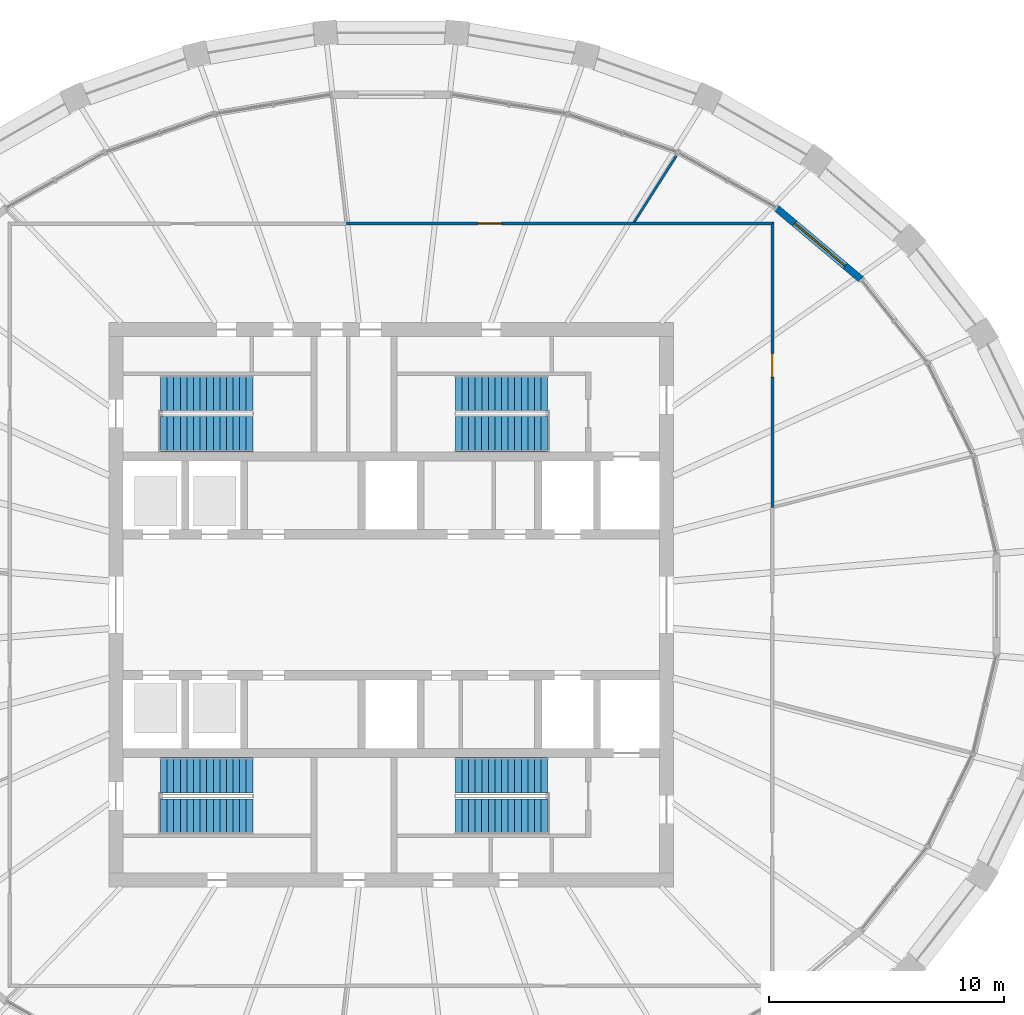
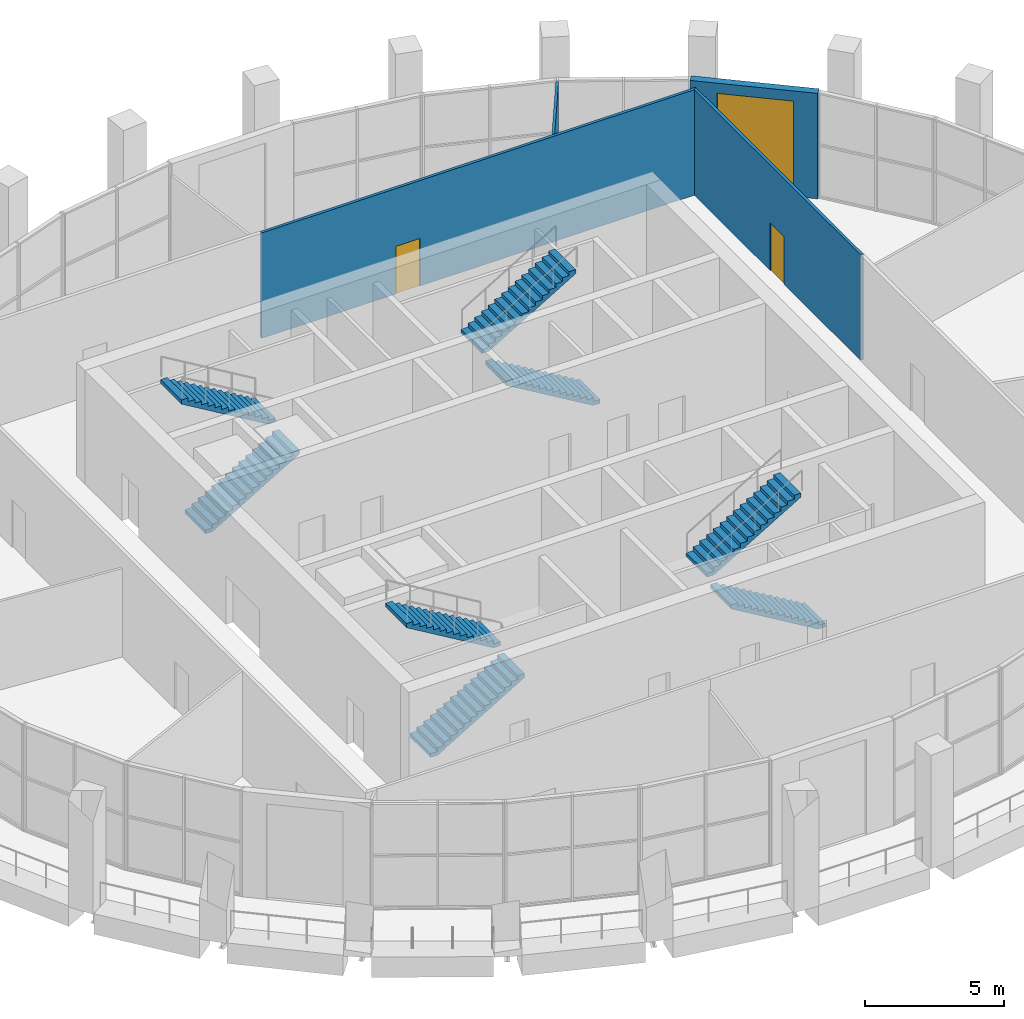
# One storey, part 13 of 16: 8 stair flights, 4 walls, 3 doors, 3 openings, 4 elements without a shape of their own.
"""IFC4 building model written with IfcOpenShell, lengths in metres."""

from ifc_helpers import new_model, si_unit, direction, frame, frame_2d, origin, place, context, subcontext, project, spatial, polyline, rectangle, outline, extrude, material, layer, layer_set, type_object, element, fill, aggregate, save


model = new_model("IFC4")

# Units and contexts
model_context = context("Model", 3, precision=1e-05, world=origin(), true_north=direction((0.0, 1.0)))
body_context = subcontext(model_context, "Body", "Model", "MODEL_VIEW")
ifc_project = project(units=[si_unit("LENGTHUNIT", "METRE"), si_unit("AREAUNIT", "SQUARE_METRE"), si_unit("VOLUMEUNIT", "CUBIC_METRE"), si_unit("PLANEANGLEUNIT", "RADIAN"), si_unit("MASSUNIT", "GRAM", prefix="KILO")], contexts=[model_context])

# Site, building, storey
site_placement = place(None, origin())
site = spatial("IfcSite", under=ifc_project, at=site_placement, CompositionType="ELEMENT")
building_placement = place(site_placement, origin())
building = spatial("IfcBuilding", under=site, at=building_placement, Name="Halqa Exchange Tower", CompositionType="ELEMENT")
storey_placement = place(building_placement, frame((0.0, 0.0, 333.300048828125)))
storey = spatial("IfcBuildingStorey", under=building, at=storey_placement, Name="L78", CompositionType="ELEMENT", Elevation=333.300048828125)

# Wall, opening, door
ifc_material_1 = material(Name="Fire-rated glazing", Category="glass")
ifc_layer_1 = layer(ifc_material_1, 0.1201171875)
ifc_layer_set_1 = layer_set([ifc_layer_1], Name="Fire-rated glazing")
wall_type_1 = type_object("IfcWallType", Name="Glazed fire partition EI 60 120", PredefinedType="PARTITIONING", material=ifc_layer_set_1)
wall_1_placement = place(storey_placement, frame((-1.89990234375, 16.199951171875, 0.0), z_axis=(0.0, 0.0, 1.0), x_axis=(1.0, 0.0, 0.0)))
wall_1 = element("IfcWall", 1, at=wall_1_placement, inside=storey, type_object=wall_type_1, Name="L78-PWL-012", PredefinedType="PARTITIONING", context=body_context, shape_type="SweptSolid", body=[
    extrude(outline(polyline([(0.0, -0.06005859375), (1.803955078125, -0.06005859375), (3.60791015625, -0.06005859375), (5.411865234375, -0.06005859375), (7.2158203125, -0.06005859375), (9.02001953125, -0.06005859375), (10.823974609375, -0.06005859375), (12.6279296875, -0.06005859375), (14.431884765625, -0.06005859375), (16.23583984375, -0.06005859375), (18.039794921875, -0.06005859375), (18.159912109375, 0.06005859375), (16.343994140625, 0.06005859375), (14.52783203125, 0.06005859375), (12.7119140625, 0.06005859375), (10.89599609375, 0.06005859375), (9.080078125, 0.06005859375), (7.263916015625, 0.06005859375), (5.447998046875, 0.06005859375), (3.632080078125, 0.06005859375), (1.81591796875, 0.06005859375), (0.0, 0.06005859375), (0.0, -0.06005859375)])), origin(), (0.0, 0.0, 1.0), 4.64990234375),
])
opening_1_placement = place(wall_1_placement, frame((5.594970703125, 0.0, 0.0)))
opening_1 = element("IfcOpeningElement", 2, at=opening_1_placement, cuts=wall_1, Name="Opening L78-09", PredefinedType="OPENING", context=body_context, shape_type="SweptSolid", body=[
    extrude(rectangle(XDim=1.0, YDim=2.10009765625, at=frame_2d((0.5, 1.050048828125))), frame((0.0, 0.072021484375, 0.0), z_axis=(0.0, -1.0, 0.0), x_axis=(1.0, 0.0, 0.0)), (0.0, 0.0, 1.0), 0.14404296875),
])
ifc_material_2 = material(Name="Steel fire door leaf", Category="steel")
door_type_1 = type_object("IfcDoorType", Name="Fire door FD30S 1000 x 2100", OperationType="SINGLE_SWING_LEFT", PredefinedType="DOOR", material=ifc_material_2)
door_1_placement = place(opening_1_placement, origin())
door_1 = element("IfcDoor", 3, at=door_1_placement, inside=storey, type_object=door_type_1, Name="L78-IDR-009", OperationType="SINGLE_SWING_RIGHT", OverallHeight=2.10009765625, OverallWidth=1.0, PredefinedType="DOOR", context=body_context, shape_type="SweptSolid", body=[
    extrude(rectangle(XDim=1.0, YDim=2.10009765625, at=frame_2d((0.5, 1.050048828125))), frame((0.0, 0.02490234375, 0.0), z_axis=(0.0, -1.0, 0.0), x_axis=(1.0, 0.0, 0.0)), (0.0, 0.0, 1.0), 0.050048828125),
])
fill(opening_1, door_1)

wall_2_placement = place(storey_placement, frame((16.199951171875, 16.260009765625, 0.0), z_axis=(0.0, 0.0, 1.0), x_axis=(0.0, -1.0, 0.0)))
wall_2 = element("IfcWall", 4, at=wall_2_placement, inside=storey, type_object=wall_type_1, Name="L78-PWL-018", PredefinedType="PARTITIONING", context=body_context, shape_type="SweptSolid", body=[
    extrude(outline(polyline([(12.1201171875, 0.06005859375), (10.388671875, 0.06005859375), (8.6572265625, 0.06005859375), (6.92578125, 0.06005859375), (5.1943359375, 0.06005859375), (3.462890625, 0.06005859375), (1.7314453125, 0.06005859375), (0.0, 0.06005859375), (0.1201171875, -0.06005859375), (1.83447265625, -0.06005859375), (3.548583984375, -0.06005859375), (5.262939453125, -0.06005859375), (6.977294921875, -0.06005859375), (8.691650390625, -0.06005859375), (10.40576171875, -0.06005859375), (12.1201171875, -0.06005859375), (12.1201171875, 0.06005859375)])), origin(), (0.0, 0.0, 1.0), 4.64990234375),
])
opening_2_placement = place(wall_2_placement, frame((5.590087890625, 0.0, 0.0)))
opening_2 = element("IfcOpeningElement", 5, at=opening_2_placement, cuts=wall_2, Name="Opening L78-08", PredefinedType="OPENING", context=body_context, shape_type="SweptSolid", body=[
    extrude(rectangle(XDim=1.0, YDim=2.10009765625, at=frame_2d((0.5, 1.050048828125))), frame((0.0, 0.072021484375, 0.0), z_axis=(0.0, -1.0, 0.0), x_axis=(1.0, 0.0, 0.0)), (0.0, 0.0, 1.0), 0.14404296875),
])
door_2_placement = place(opening_2_placement, origin())
door_2 = element("IfcDoor", 6, at=door_2_placement, inside=storey, type_object=door_type_1, Name="L78-IDR-008", OperationType="SINGLE_SWING_RIGHT", OverallHeight=2.10009765625, OverallWidth=1.0, PredefinedType="DOOR", context=body_context, shape_type="SweptSolid", body=[
    extrude(rectangle(XDim=1.0, YDim=2.10009765625, at=frame_2d((0.5, 1.050048828125))), frame((0.0, 0.02490234375, 0.0), z_axis=(0.0, -1.0, 0.0), x_axis=(1.0, 0.0, 0.0)), (0.0, 0.0, 1.0), 0.050048828125),
])
fill(opening_2, door_2)

# Wall
ifc_material_3 = material(Name="Gypsum board")
ifc_layer_2 = layer(ifc_material_3, 0.10009765625)
ifc_layer_set_2 = layer_set([ifc_layer_2], Name="Gypsum board")
wall_type_2 = type_object("IfcWallType", Name="Partition 100 gypsum", PredefinedType="PARTITIONING", material=ifc_layer_set_2)
wall_3_placement = place(storey_placement, frame((10.311279296875, 16.2333984375, 0.0), z_axis=(0.0, 0.0, 1.0), x_axis=(0.53653775198, 0.843876318367, 0.0)))
element("IfcWall", 7, at=wall_3_placement, inside=storey, type_object=wall_type_2, Name="L78-PWL-013", PredefinedType="PARTITIONING", context=body_context, shape_type="SweptSolid", body=[
    extrude(outline(polyline([(3.3681640625, -0.050048828125), (3.3681640625, -0.048583984375), (3.365478515625, 0.00244140625), (3.354248046875, 0.050048828125), (1.677001953125, 0.050048828125), (0.0, 0.050048828125), (0.0, 0.049560546875), (0.063232421875, -0.050048828125), (1.7158203125, -0.050048828125), (3.3681640625, -0.050048828125)])), origin(), (0.0, 0.0, 1.0), 4.64990234375),
])

# Wall, opening, door
ifc_material_4 = material(Name="Limestone cladding", Category="masonry")
ifc_layer_3 = layer(ifc_material_4, 0.0400390625)
ifc_material_5 = material(Name="Ventilated cavity")
ifc_layer_4 = layer(ifc_material_5, 0.030029296875, ventilated=True)
ifc_material_6 = material(Name="Mineral wool insulation")
ifc_layer_5 = layer(ifc_material_6, 0.10009765625)
ifc_material_7 = material(Name="Concrete C30/37", Category="concrete")
ifc_layer_6 = layer(ifc_material_7, 0.10009765625)
ifc_material_8 = material(Name="Internal plaster")
ifc_layer_7 = layer(ifc_material_8, 0.030029296875)
ifc_layer_set_3 = layer_set([ifc_layer_3, ifc_layer_4, ifc_layer_5, ifc_layer_6, ifc_layer_7], Name="Stone-faced insulated wall 300")
wall_type_3 = type_object("IfcWallType", Name="Stone-faced insulated wall 300", PredefinedType="STANDARD", material=ifc_layer_set_3)
wall_4_placement = place(storey_placement, frame((19.974609375, 13.826171875, 0.0), z_axis=(0.0, 0.0, 1.0), x_axis=(-0.765128700347, 0.643877373344, 0.0)))
wall_4 = element("IfcWall", 8, at=wall_4_placement, inside=storey, type_object=wall_type_3, Name="Glass-line wall 4", PredefinedType="STANDARD", context=body_context, shape_type="SweptSolid", body=[
    extrude(outline(polyline([(0.0, -0.14990234375), (4.685546875, -0.14990234375), (4.685546875, 0.14990234375), (0.0, 0.14990234375), (0.0, -0.14990234375)])), origin(), (0.0, 0.0, 1.0), 4.64990234375),
])
opening_3_placement = place(wall_4_placement, frame((0.892578125, 0.0, 0.0)))
opening_3 = element("IfcOpeningElement", 9, at=opening_3_placement, cuts=wall_4, Name="Opening LGS-F4-01", PredefinedType="OPENING", context=body_context, shape_type="SweptSolid", body=[
    extrude(rectangle(XDim=2.800048828125, YDim=4.199951171875, at=frame_2d((1.39990234375, 2.10009765625))), frame((0.0, 0.162109375, 0.0), z_axis=(0.0, -1.0, 0.0), x_axis=(1.0, 0.0, 0.0)), (0.0, 0.0, 1.0), 0.323974609375),
])
ifc_material_9 = material(Name="Clear low-emissivity glass in aluminium frame", Category="aluminium")
door_type_2 = type_object("IfcDoorType", Name="Glazed sliding balcony door 2800 x 4200", OperationType="DOUBLE_DOOR_SLIDING", PredefinedType="DOOR", material=ifc_material_9)
door_3_placement = place(opening_3_placement, origin())
door_3 = element("IfcDoor", 10, at=door_3_placement, inside=storey, type_object=door_type_2, Name="Loggia door 1", OperationType="DOUBLE_DOOR_SLIDING", OverallHeight=4.199951171875, OverallWidth=2.800048828125, PredefinedType="DOOR", context=body_context, shape_type="SweptSolid", body=[
    extrude(rectangle(XDim=2.800048828125, YDim=4.199951171875, at=frame_2d((1.39990234375, 2.10009765625))), frame((0.0, 0.02490234375, 0.0), z_axis=(0.0, -1.0, 0.0), x_axis=(1.0, 0.0, 0.0)), (0.0, 0.0, 1.0), 0.050048828125),
])
fill(opening_3, door_3)

# Stair, stair flights
stair_type = type_object("IfcStairType", Name="Exit stair 1500 wide", PredefinedType="HALF_TURN_STAIR", material=ifc_material_7)
stair_1_placement = place(storey_placement, origin())
stair_1 = element("IfcStair", 11, at=stair_1_placement, inside=storey, type_object=stair_type, Name="Exit stair ST1", PredefinedType="HALF_TURN_STAIR")
stair_flight_type = type_object("IfcStairFlightType", Name="Stair flight 1500 wide", PredefinedType="STRAIGHT", material=ifc_material_7)
stair_flight_1_placement = place(storey_placement, frame((-9.800048828125, 7.25, 0.0), z_axis=(0.0, 0.0, 1.0), x_axis=(1.0, 0.0, 0.0)))
stair_flight_1 = element("IfcStairFlight", 12, at=stair_flight_1_placement, type_object=stair_flight_type, Name="ST1 flight 1", NumberOfRisers=15, NumberOfTreads=14, PredefinedType="STRAIGHT", RiserHeight=0.166666667, TreadLength=0.28, context=body_context, shape_type="SweptSolid", body=[
    extrude(outline(polyline([(0.0, 0.0), (0.0, 0.166748046875), (0.280029296875, 0.166748046875), (0.280029296875, 0.333251953125), (0.56005859375, 0.333251953125), (0.56005859375, 0.5), (0.840087890625, 0.5), (0.840087890625, 0.666748046875), (1.1201171875, 0.666748046875), (1.1201171875, 0.833251953125), (1.39990234375, 0.833251953125), (1.39990234375, 1.0), (1.679931640625, 1.0), (1.679931640625, 1.166748046875), (1.9599609375, 1.166748046875), (1.9599609375, 1.333251953125), (2.239990234375, 1.333251953125), (2.239990234375, 1.5), (2.52001953125, 1.5), (2.52001953125, 1.666748046875), (2.800048828125, 1.666748046875), (2.800048828125, 1.833251953125), (3.080078125, 1.833251953125), (3.080078125, 2.0), (3.360107421875, 2.0), (3.360107421875, 2.166748046875), (3.639892578125, 2.166748046875), (3.639892578125, 2.333251953125), (3.919921875, 2.333251953125), (3.919921875, 2.5), (3.919921875, 2.158935546875), (0.29296875, 0.0), (0.0, 0.0)])), frame((0.0, 0.75, 0.0), z_axis=(0.0, -1.0, 0.0), x_axis=(1.0, 0.0, 0.0)), (0.0, 0.0, 1.0), 1.5),
])
stair_flight_2_placement = place(storey_placement, frame((-5.8798828125, 9.0, 2.5), z_axis=(0.0, 0.0, 1.0), x_axis=(-1.0, 0.0, 0.0)))
stair_flight_2 = element("IfcStairFlight", 13, at=stair_flight_2_placement, type_object=stair_flight_type, Name="ST1 flight 2", NumberOfRisers=15, NumberOfTreads=14, PredefinedType="STRAIGHT", RiserHeight=0.166666667, TreadLength=0.28, context=body_context, shape_type="SweptSolid", body=[
    extrude(outline(polyline([(0.0, 0.0), (0.0, 0.166748046875), (0.280029296875, 0.166748046875), (0.280029296875, 0.333251953125), (0.56005859375, 0.333251953125), (0.56005859375, 0.5), (0.840087890625, 0.5), (0.840087890625, 0.666748046875), (1.1201171875, 0.666748046875), (1.1201171875, 0.833251953125), (1.39990234375, 0.833251953125), (1.39990234375, 1.0), (1.679931640625, 1.0), (1.679931640625, 1.166748046875), (1.9599609375, 1.166748046875), (1.9599609375, 1.333251953125), (2.239990234375, 1.333251953125), (2.239990234375, 1.5), (2.52001953125, 1.5), (2.52001953125, 1.666748046875), (2.800048828125, 1.666748046875), (2.800048828125, 1.833251953125), (3.080078125, 1.833251953125), (3.080078125, 2.0), (3.360107421875, 2.0), (3.360107421875, 2.166748046875), (3.639892578125, 2.166748046875), (3.639892578125, 2.333251953125), (3.919921875, 2.333251953125), (3.919921875, 2.5), (3.919921875, 2.158935546875), (0.29296875, 0.0), (0.0, 0.0)])), frame((0.0, 0.75, 0.0), z_axis=(0.0, -1.0, 0.0), x_axis=(1.0, 0.0, 0.0)), (0.0, 0.0, 1.0), 1.5),
])
aggregate(stair_1, [stair_flight_1, stair_flight_2])

stair_2_placement = place(storey_placement, origin())
stair_2 = element("IfcStair", 14, at=stair_2_placement, inside=storey, type_object=stair_type, Name="Exit stair ST2", PredefinedType="HALF_TURN_STAIR")
stair_flight_3_placement = place(storey_placement, frame((6.64990234375, 7.25, 0.0), z_axis=(0.0, 0.0, 1.0), x_axis=(-1.0, 0.0, 0.0)))
stair_flight_3 = element("IfcStairFlight", 15, at=stair_flight_3_placement, type_object=stair_flight_type, Name="ST2 flight 1", NumberOfRisers=15, NumberOfTreads=14, PredefinedType="STRAIGHT", RiserHeight=0.166666667, TreadLength=0.28, context=body_context, shape_type="SweptSolid", body=[
    extrude(outline(polyline([(0.0, 0.0), (0.0, 0.166748046875), (0.280029296875, 0.166748046875), (0.280029296875, 0.333251953125), (0.56005859375, 0.333251953125), (0.56005859375, 0.5), (0.840087890625, 0.5), (0.840087890625, 0.666748046875), (1.1201171875, 0.666748046875), (1.1201171875, 0.833251953125), (1.39990234375, 0.833251953125), (1.39990234375, 1.0), (1.679931640625, 1.0), (1.679931640625, 1.166748046875), (1.9599609375, 1.166748046875), (1.9599609375, 1.333251953125), (2.239990234375, 1.333251953125), (2.239990234375, 1.5), (2.52001953125, 1.5), (2.52001953125, 1.666748046875), (2.800048828125, 1.666748046875), (2.800048828125, 1.833251953125), (3.080078125, 1.833251953125), (3.080078125, 2.0), (3.360107421875, 2.0), (3.360107421875, 2.166748046875), (3.639892578125, 2.166748046875), (3.639892578125, 2.333251953125), (3.919921875, 2.333251953125), (3.919921875, 2.5), (3.919921875, 2.158935546875), (0.29296875, 0.0), (0.0, 0.0)])), frame((0.0, 0.75, 0.0), z_axis=(0.0, -1.0, 0.0), x_axis=(1.0, 0.0, 0.0)), (0.0, 0.0, 1.0), 1.5),
])
stair_flight_4_placement = place(storey_placement, frame((2.72998046875, 9.0, 2.5), z_axis=(0.0, 0.0, 1.0), x_axis=(1.0, 0.0, 0.0)))
stair_flight_4 = element("IfcStairFlight", 16, at=stair_flight_4_placement, type_object=stair_flight_type, Name="ST2 flight 2", NumberOfRisers=15, NumberOfTreads=14, PredefinedType="STRAIGHT", RiserHeight=0.166666667, TreadLength=0.28, context=body_context, shape_type="SweptSolid", body=[
    extrude(outline(polyline([(0.0, 0.0), (0.0, 0.166748046875), (0.280029296875, 0.166748046875), (0.280029296875, 0.333251953125), (0.56005859375, 0.333251953125), (0.56005859375, 0.5), (0.840087890625, 0.5), (0.840087890625, 0.666748046875), (1.1201171875, 0.666748046875), (1.1201171875, 0.833251953125), (1.39990234375, 0.833251953125), (1.39990234375, 1.0), (1.679931640625, 1.0), (1.679931640625, 1.166748046875), (1.9599609375, 1.166748046875), (1.9599609375, 1.333251953125), (2.239990234375, 1.333251953125), (2.239990234375, 1.5), (2.52001953125, 1.5), (2.52001953125, 1.666748046875), (2.800048828125, 1.666748046875), (2.800048828125, 1.833251953125), (3.080078125, 1.833251953125), (3.080078125, 2.0), (3.360107421875, 2.0), (3.360107421875, 2.166748046875), (3.639892578125, 2.166748046875), (3.639892578125, 2.333251953125), (3.919921875, 2.333251953125), (3.919921875, 2.5), (3.919921875, 2.158935546875), (0.29296875, 0.0), (0.0, 0.0)])), frame((0.0, 0.75, 0.0), z_axis=(0.0, -1.0, 0.0), x_axis=(1.0, 0.0, 0.0)), (0.0, 0.0, 1.0), 1.5),
])
aggregate(stair_2, [stair_flight_3, stair_flight_4])

stair_3_placement = place(storey_placement, origin())
stair_3 = element("IfcStair", 17, at=stair_3_placement, inside=storey, type_object=stair_type, Name="Exit stair ST3", PredefinedType="HALF_TURN_STAIR")
stair_flight_5_placement = place(storey_placement, frame((-9.800048828125, -9.0, 0.0), z_axis=(0.0, 0.0, 1.0), x_axis=(1.0, 0.0, 0.0)))
stair_flight_5 = element("IfcStairFlight", 18, at=stair_flight_5_placement, type_object=stair_flight_type, Name="ST3 flight 1", NumberOfRisers=15, NumberOfTreads=14, PredefinedType="STRAIGHT", RiserHeight=0.166666667, TreadLength=0.28, context=body_context, shape_type="SweptSolid", body=[
    extrude(outline(polyline([(0.0, 0.0), (0.0, 0.166748046875), (0.280029296875, 0.166748046875), (0.280029296875, 0.333251953125), (0.56005859375, 0.333251953125), (0.56005859375, 0.5), (0.840087890625, 0.5), (0.840087890625, 0.666748046875), (1.1201171875, 0.666748046875), (1.1201171875, 0.833251953125), (1.39990234375, 0.833251953125), (1.39990234375, 1.0), (1.679931640625, 1.0), (1.679931640625, 1.166748046875), (1.9599609375, 1.166748046875), (1.9599609375, 1.333251953125), (2.239990234375, 1.333251953125), (2.239990234375, 1.5), (2.52001953125, 1.5), (2.52001953125, 1.666748046875), (2.800048828125, 1.666748046875), (2.800048828125, 1.833251953125), (3.080078125, 1.833251953125), (3.080078125, 2.0), (3.360107421875, 2.0), (3.360107421875, 2.166748046875), (3.639892578125, 2.166748046875), (3.639892578125, 2.333251953125), (3.919921875, 2.333251953125), (3.919921875, 2.5), (3.919921875, 2.158935546875), (0.29296875, 0.0), (0.0, 0.0)])), frame((0.0, 0.75, 0.0), z_axis=(0.0, -1.0, 0.0), x_axis=(1.0, 0.0, 0.0)), (0.0, 0.0, 1.0), 1.5),
])
stair_flight_6_placement = place(storey_placement, frame((-5.8798828125, -7.25, 2.5), z_axis=(0.0, 0.0, 1.0), x_axis=(-1.0, 0.0, 0.0)))
stair_flight_6 = element("IfcStairFlight", 19, at=stair_flight_6_placement, type_object=stair_flight_type, Name="ST3 flight 2", NumberOfRisers=15, NumberOfTreads=14, PredefinedType="STRAIGHT", RiserHeight=0.166666667, TreadLength=0.28, context=body_context, shape_type="SweptSolid", body=[
    extrude(outline(polyline([(0.0, 0.0), (0.0, 0.166748046875), (0.280029296875, 0.166748046875), (0.280029296875, 0.333251953125), (0.56005859375, 0.333251953125), (0.56005859375, 0.5), (0.840087890625, 0.5), (0.840087890625, 0.666748046875), (1.1201171875, 0.666748046875), (1.1201171875, 0.833251953125), (1.39990234375, 0.833251953125), (1.39990234375, 1.0), (1.679931640625, 1.0), (1.679931640625, 1.166748046875), (1.9599609375, 1.166748046875), (1.9599609375, 1.333251953125), (2.239990234375, 1.333251953125), (2.239990234375, 1.5), (2.52001953125, 1.5), (2.52001953125, 1.666748046875), (2.800048828125, 1.666748046875), (2.800048828125, 1.833251953125), (3.080078125, 1.833251953125), (3.080078125, 2.0), (3.360107421875, 2.0), (3.360107421875, 2.166748046875), (3.639892578125, 2.166748046875), (3.639892578125, 2.333251953125), (3.919921875, 2.333251953125), (3.919921875, 2.5), (3.919921875, 2.158935546875), (0.29296875, 0.0), (0.0, 0.0)])), frame((0.0, 0.75, 0.0), z_axis=(0.0, -1.0, 0.0), x_axis=(1.0, 0.0, 0.0)), (0.0, 0.0, 1.0), 1.5),
])
aggregate(stair_3, [stair_flight_5, stair_flight_6])

stair_4_placement = place(storey_placement, origin())
stair_4 = element("IfcStair", 20, at=stair_4_placement, inside=storey, type_object=stair_type, Name="Exit stair ST4", PredefinedType="HALF_TURN_STAIR")
stair_flight_7_placement = place(storey_placement, frame((6.64990234375, -9.0, 0.0), z_axis=(0.0, 0.0, 1.0), x_axis=(-1.0, 0.0, 0.0)))
stair_flight_7 = element("IfcStairFlight", 21, at=stair_flight_7_placement, type_object=stair_flight_type, Name="ST4 flight 1", NumberOfRisers=15, NumberOfTreads=14, PredefinedType="STRAIGHT", RiserHeight=0.166666667, TreadLength=0.28, context=body_context, shape_type="SweptSolid", body=[
    extrude(outline(polyline([(0.0, 0.0), (0.0, 0.166748046875), (0.280029296875, 0.166748046875), (0.280029296875, 0.333251953125), (0.56005859375, 0.333251953125), (0.56005859375, 0.5), (0.840087890625, 0.5), (0.840087890625, 0.666748046875), (1.1201171875, 0.666748046875), (1.1201171875, 0.833251953125), (1.39990234375, 0.833251953125), (1.39990234375, 1.0), (1.679931640625, 1.0), (1.679931640625, 1.166748046875), (1.9599609375, 1.166748046875), (1.9599609375, 1.333251953125), (2.239990234375, 1.333251953125), (2.239990234375, 1.5), (2.52001953125, 1.5), (2.52001953125, 1.666748046875), (2.800048828125, 1.666748046875), (2.800048828125, 1.833251953125), (3.080078125, 1.833251953125), (3.080078125, 2.0), (3.360107421875, 2.0), (3.360107421875, 2.166748046875), (3.639892578125, 2.166748046875), (3.639892578125, 2.333251953125), (3.919921875, 2.333251953125), (3.919921875, 2.5), (3.919921875, 2.158935546875), (0.29296875, 0.0), (0.0, 0.0)])), frame((0.0, 0.75, 0.0), z_axis=(0.0, -1.0, 0.0), x_axis=(1.0, 0.0, 0.0)), (0.0, 0.0, 1.0), 1.5),
])
stair_flight_8_placement = place(storey_placement, frame((2.72998046875, -7.25, 2.5), z_axis=(0.0, 0.0, 1.0), x_axis=(1.0, 0.0, 0.0)))
stair_flight_8 = element("IfcStairFlight", 22, at=stair_flight_8_placement, type_object=stair_flight_type, Name="ST4 flight 2", NumberOfRisers=15, NumberOfTreads=14, PredefinedType="STRAIGHT", RiserHeight=0.166666667, TreadLength=0.28, context=body_context, shape_type="SweptSolid", body=[
    extrude(outline(polyline([(0.0, 0.0), (0.0, 0.166748046875), (0.280029296875, 0.166748046875), (0.280029296875, 0.333251953125), (0.56005859375, 0.333251953125), (0.56005859375, 0.5), (0.840087890625, 0.5), (0.840087890625, 0.666748046875), (1.1201171875, 0.666748046875), (1.1201171875, 0.833251953125), (1.39990234375, 0.833251953125), (1.39990234375, 1.0), (1.679931640625, 1.0), (1.679931640625, 1.166748046875), (1.9599609375, 1.166748046875), (1.9599609375, 1.333251953125), (2.239990234375, 1.333251953125), (2.239990234375, 1.5), (2.52001953125, 1.5), (2.52001953125, 1.666748046875), (2.800048828125, 1.666748046875), (2.800048828125, 1.833251953125), (3.080078125, 1.833251953125), (3.080078125, 2.0), (3.360107421875, 2.0), (3.360107421875, 2.166748046875), (3.639892578125, 2.166748046875), (3.639892578125, 2.333251953125), (3.919921875, 2.333251953125), (3.919921875, 2.5), (3.919921875, 2.158935546875), (0.29296875, 0.0), (0.0, 0.0)])), frame((0.0, 0.75, 0.0), z_axis=(0.0, -1.0, 0.0), x_axis=(1.0, 0.0, 0.0)), (0.0, 0.0, 1.0), 1.5),
])
aggregate(stair_4, [stair_flight_7, stair_flight_8])

save(model, "model.ifc")
